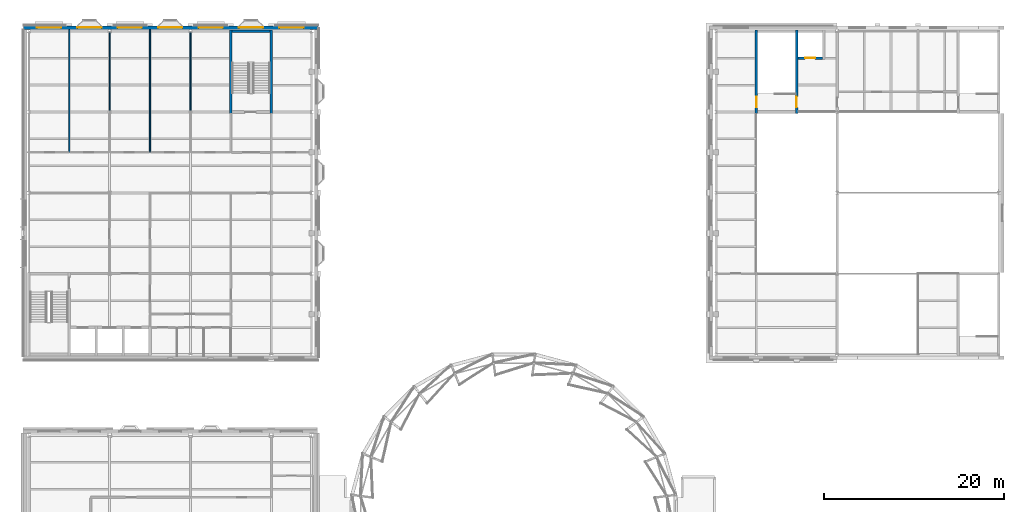
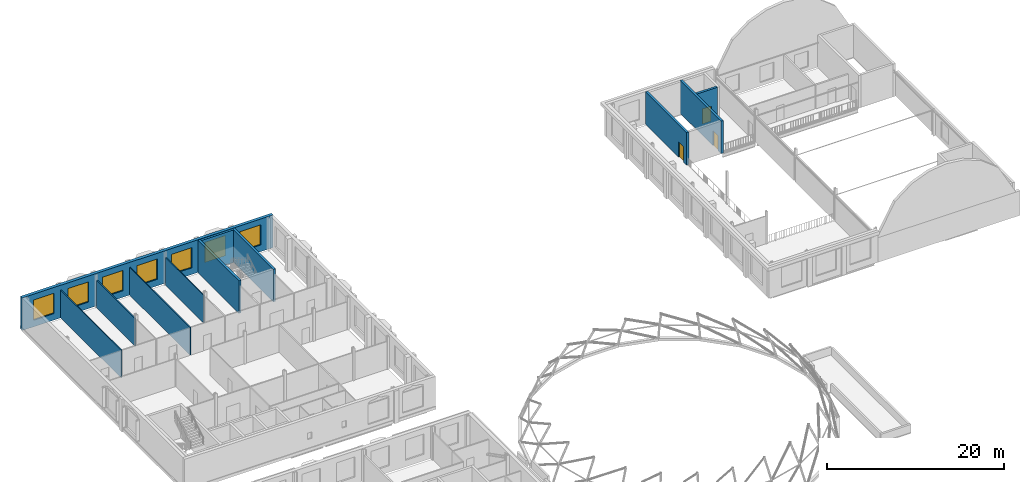
# One storey, part 28 of 59: 11 walls, 7 windows, 3 doors, 10 openings.
"""IFC4 building model written with IfcOpenShell, lengths in metres."""

from ifc_helpers import new_model, si_unit, direction, frame, frame_2d, origin, place, context, subcontext, project, spatial, rectangle, extrude, material, layer, layer_set, type_object, element, fill, save


model = new_model("IFC4")

# Units and contexts
model_context = context("Model", 3, precision=1e-05, world=origin(), true_north=direction((0.0, 1.0)))
body_context = subcontext(model_context, "Body", "Model", "MODEL_VIEW")
ifc_project = project(units=[si_unit("LENGTHUNIT", "METRE"), si_unit("AREAUNIT", "SQUARE_METRE"), si_unit("VOLUMEUNIT", "CUBIC_METRE"), si_unit("PLANEANGLEUNIT", "RADIAN"), si_unit("MASSUNIT", "GRAM", prefix="KILO")], contexts=[model_context])

# Site, building, storey
site_placement = place(None, origin())
site = spatial("IfcSite", under=ifc_project, at=site_placement, CompositionType="ELEMENT")
building_placement = place(site_placement, origin())
building = spatial("IfcBuilding", under=site, at=building_placement, Name="Hortulan Conservatory and Botanical Research Centre", CompositionType="ELEMENT")
storey_placement = place(building_placement, frame((0.0, 0.0, 10.5)))
storey = spatial("IfcBuildingStorey", under=building, at=storey_placement, Name="L02", CompositionType="ELEMENT", Elevation=10.5)

# Wall, opening, door
ifc_material_1 = material(Name="Concrete N40 (40 MPa, AS 3600)", Category="concrete")
ifc_layer_1 = layer(ifc_material_1, 0.300048828125)
ifc_layer_set_1 = layer_set([ifc_layer_1], Name="Core Wall 300 N40 FRL 120/120/120")
wall_type_1 = type_object("IfcWallType", Name="Core Wall 300 N40 FRL 120/120/120", PredefinedType="SHEAR", material=ifc_layer_set_1)
wall_1_placement = place(storey_placement, frame((81.0, 62.85009765625, 0.0), z_axis=(0.0, 0.0, 1.0), x_axis=(0.0, 1.0, 0.0)))
wall_1 = element("IfcWall", 1, at=wall_1_placement, inside=storey, type_object=wall_type_1, Name="Reinforced concrete shaft wall", PredefinedType="SHEAR", context=body_context, shape_type="SweptSolid", body=[
    extrude(rectangle(XDim=9.2998046875, YDim=0.300048828125, at=frame_2d((4.64990234375, 0.0))), origin(), (0.0, 0.0, 1.0), 4.5),
])
opening_1_placement = place(wall_1_placement, frame((0.64990234375, 0.0, 0.0)))
opening_1 = element("IfcOpeningElement", 2, at=opening_1_placement, cuts=wall_1, Name="Opening DT5", PredefinedType="OPENING", context=body_context, shape_type="SweptSolid", body=[
    extrude(rectangle(XDim=1.199951171875, YDim=2.10009765625, at=frame_2d((0.60009765625, 1.050048828125))), frame((0.0, 0.159912109375, 0.0), z_axis=(0.0, -1.0, 0.0), x_axis=(1.0, 0.0, 0.0)), (0.0, 0.0, 1.0), 0.320068359375),
])
ifc_material_2 = material(Name="Steel door leaf, insulated", Category="steel")
door_type_1 = type_object("IfcDoorType", Name="Stair Door 1200x2100 FRL -/120/30", OperationType="NOTDEFINED", PredefinedType="DOOR", material=ifc_material_2)
door_1_placement = place(opening_1_placement, frame((1.199951171875, 0.0, 0.0), z_axis=(0.0, 0.0, 1.0), x_axis=(-1.0, 0.0, 0.0)))
door_1 = element("IfcDoor", 3, at=door_1_placement, inside=storey, type_object=door_type_1, Name="Stair door A1 L02 W to Back-of-House Corridor", OperationType="SINGLE_SWING_RIGHT", OverallHeight=2.10009765625, OverallWidth=1.199951171875, PredefinedType="DOOR", context=body_context, shape_type="SweptSolid", body=[
    extrude(rectangle(XDim=1.199951171875, YDim=2.10009765625, at=frame_2d((0.60009765625, 1.050048828125))), frame((0.0, 0.02490234375, 0.0), z_axis=(0.0, -1.0, 0.0), x_axis=(1.0, 0.0, 0.0)), (0.0, 0.0, 1.0), 0.050048828125),
])
fill(opening_1, door_1)

wall_2_placement = place(storey_placement, frame((85.5, 62.85009765625, 0.0), z_axis=(0.0, 0.0, 1.0), x_axis=(0.0, 1.0, 0.0)))
wall_2 = element("IfcWall", 4, at=wall_2_placement, inside=storey, type_object=wall_type_1, Name="Reinforced concrete shaft wall", PredefinedType="SHEAR", context=body_context, shape_type="SweptSolid", body=[
    extrude(rectangle(XDim=9.2998046875, YDim=0.300048828125, at=frame_2d((4.64990234375, 0.0))), origin(), (0.0, 0.0, 1.0), 4.5),
])
opening_2_placement = place(wall_2_placement, frame((0.64990234375, 0.0, 0.0)))
opening_2 = element("IfcOpeningElement", 5, at=opening_2_placement, cuts=wall_2, Name="Opening DT5", PredefinedType="OPENING", context=body_context, shape_type="SweptSolid", body=[
    extrude(rectangle(XDim=1.199951171875, YDim=2.10009765625, at=frame_2d((0.60009765625, 1.050048828125))), frame((0.0, 0.159912109375, 0.0), z_axis=(0.0, -1.0, 0.0), x_axis=(1.0, 0.0, 0.0)), (0.0, 0.0, 1.0), 0.320068359375),
])
door_2_placement = place(opening_2_placement, origin())
door_2 = element("IfcDoor", 6, at=door_2_placement, inside=storey, type_object=door_type_1, Name="Stair door A1 L02 E to Control Gallery Lobby", OperationType="SINGLE_SWING_LEFT", OverallHeight=2.10009765625, OverallWidth=1.199951171875, PredefinedType="DOOR", context=body_context, shape_type="SweptSolid", body=[
    extrude(rectangle(XDim=1.199951171875, YDim=2.10009765625, at=frame_2d((0.60009765625, 1.050048828125))), frame((0.0, 0.02490234375, 0.0), z_axis=(0.0, -1.0, 0.0), x_axis=(1.0, 0.0, 0.0)), (0.0, 0.0, 1.0), 0.050048828125),
])
fill(opening_2, door_2)

wall_3_placement = place(storey_placement, frame((85.64990234375, 69.0, 0.0), z_axis=(0.0, 0.0, 1.0), x_axis=(1.0, 0.0, 0.0)))
wall_3 = element("IfcWall", 7, at=wall_3_placement, inside=storey, type_object=wall_type_1, Name="Reinforced concrete shaft wall", PredefinedType="SHEAR", context=body_context, shape_type="SweptSolid", body=[
    extrude(rectangle(XDim=2.7001953125, YDim=0.300048828125, at=frame_2d((1.35009765625, 0.0))), origin(), (0.0, 0.0, 1.0), 4.5),
])
opening_3_placement = place(wall_3_placement, frame((0.800048828125, 0.0, 0.0)))
opening_3 = element("IfcOpeningElement", 8, at=opening_3_placement, cuts=wall_3, Name="Opening LD1", PredefinedType="OPENING", context=body_context, shape_type="SweptSolid", body=[
    extrude(rectangle(XDim=1.10009765625, YDim=2.10009765625, at=frame_2d((0.550048828125, 1.050048828125))), frame((0.0, 0.159912109375, 0.0), z_axis=(0.0, -1.0, 0.0), x_axis=(1.0, 0.0, 0.0)), (0.0, 0.0, 1.0), 0.320068359375),
])
ifc_material_3 = material(Name="Stainless steel door leaves in steel frame", Category="steel")
door_type_2 = type_object("IfcDoorType", Name="Lift Landing Door 1100x2100", OperationType="DOUBLE_DOOR_SLIDING", PredefinedType="DOOR", material=ifc_material_3)
door_3_placement = place(opening_3_placement, origin())
door_3 = element("IfcDoor", 9, at=door_3_placement, inside=storey, type_object=door_type_2, Name="Lift LA1 landing door L02", OperationType="DOUBLE_DOOR_SLIDING", OverallHeight=2.10009765625, OverallWidth=1.10009765625, PredefinedType="DOOR", context=body_context, shape_type="SweptSolid", body=[
    extrude(rectangle(XDim=1.10009765625, YDim=2.10009765625, at=frame_2d((0.550048828125, 1.050048828125))), frame((0.0, 0.02490234375, 0.0), z_axis=(0.0, -1.0, 0.0), x_axis=(1.0, 0.0, 0.0)), (0.0, 0.0, 1.0), 0.050048828125),
])
fill(opening_3, door_3)

# Walls
ifc_layer_2 = layer(ifc_material_1, 0.300048828125)
ifc_layer_set_2 = layer_set([ifc_layer_2], Name="Core Wall 300 N40 FRL 180/120/120")
wall_type_2 = type_object("IfcWallType", Name="Core Wall 300 N40 FRL 180/120/120", PredefinedType="SHEAR", material=ifc_layer_set_2)
for number, where, z_axis, x_axis, name in (
    (10, (22.5, 62.85009765625, 0.0), (0.0, 0.0, 1.0), (0.0, 1.0, 0.0), "Reinforced concrete shaft wall"),
    (11, (27.0, 62.85009765625, 0.0), (0.0, 0.0, 1.0), (0.0, 1.0, 0.0), "Reinforced concrete shaft wall"),
):
    element("IfcWall", number, at=place(storey_placement, frame(where, z_axis=z_axis, x_axis=x_axis)), inside=storey, type_object=wall_type_2, Name=name, PredefinedType="SHEAR", context=body_context, shape_type="SweptSolid", body=[
        extrude(rectangle(XDim=9.2998046875, YDim=0.300048828125, at=frame_2d((4.64990234375, 0.0))), origin(), (0.0, 0.0, 1.0), 4.5),
    ])
wall_4_placement = place(storey_placement, frame((22.64990234375, 72.0, 0.0), z_axis=(0.0, 0.0, 1.0), x_axis=(1.0, 0.0, 0.0)))
element("IfcWall", 12, at=wall_4_placement, inside=storey, type_object=wall_type_2, Name="Reinforced concrete shaft wall", PredefinedType="SHEAR", context=body_context, shape_type="SweptSolid", body=[
    extrude(rectangle(XDim=4.2001953125, YDim=0.300048828125, at=frame_2d((2.10009765625, 0.0))), origin(), (0.0, 0.0, 1.0), 4.5),
])

# Wall, openings, windows
ifc_material_4 = material(Name="Faience-faced brickwork masonry", Category="masonry")
ifc_layer_3 = layer(ifc_material_4, 0.39990234375)
ifc_layer_set_3 = layer_set([ifc_layer_3], Name="Faience-faced Masonry Cavity Wall 400")
wall_type_3 = type_object("IfcWallType", Name="Faience-faced Masonry Cavity Wall 400", PredefinedType="STANDARD", material=ifc_layer_set_3)
wall_5_placement = place(storey_placement, frame((-0.57958984375, 72.385498046875, 0.0), z_axis=(0.0, 0.0, 1.0), x_axis=(1.0, 0.0, 0.0)))
wall_5 = element("IfcWall", 13, at=wall_5_placement, inside=storey, type_object=wall_type_3, Name="E-EW-VC-L02-N3", PredefinedType="STANDARD", context=body_context, shape_type="SweptSolid", body=[
    extrude(rectangle(XDim=32.8046875, YDim=0.39990234375, at=frame_2d((16.40234375, 0.0))), origin(), (0.0, 0.0, 1.0), 4.5),
])
opening_4_placement = place(wall_5_placement, frame((1.4794921875, 0.0, 0.89990234375)))
opening_4 = element("IfcOpeningElement", 14, at=opening_4_placement, cuts=wall_5, Name="Opening W9", PredefinedType="OPENING", context=body_context, shape_type="SweptSolid", body=[
    extrude(rectangle(XDim=2.699951171875, YDim=2.800048828125, at=frame_2d((1.35009765625, 1.39990234375))), frame((0.0, 0.2099609375, 0.0), z_axis=(0.0, -1.0, 0.0), x_axis=(1.0, 0.0, 0.0)), (0.0, 0.0, 1.0), 0.419921875),
])
opening_5_placement = place(wall_5_placement, frame((5.9794921875, 0.0, 0.89990234375)))
opening_5 = element("IfcOpeningElement", 15, at=opening_5_placement, cuts=wall_5, Name="Opening W9", PredefinedType="OPENING", context=body_context, shape_type="SweptSolid", body=[
    extrude(rectangle(XDim=2.699951171875, YDim=2.800048828125, at=frame_2d((1.35009765625, 1.39990234375))), frame((0.0, 0.2099609375, 0.0), z_axis=(0.0, -1.0, 0.0), x_axis=(1.0, 0.0, 0.0)), (0.0, 0.0, 1.0), 0.419921875),
])
opening_6_placement = place(wall_5_placement, frame((10.4794921875, 0.0, 0.89990234375)))
opening_6 = element("IfcOpeningElement", 16, at=opening_6_placement, cuts=wall_5, Name="Opening W9", PredefinedType="OPENING", context=body_context, shape_type="SweptSolid", body=[
    extrude(rectangle(XDim=2.699951171875, YDim=2.800048828125, at=frame_2d((1.35009765625, 1.39990234375))), frame((0.0, 0.2099609375, 0.0), z_axis=(0.0, -1.0, 0.0), x_axis=(1.0, 0.0, 0.0)), (0.0, 0.0, 1.0), 0.419921875),
])
opening_7_placement = place(wall_5_placement, frame((14.9794921875, 0.0, 0.89990234375)))
opening_7 = element("IfcOpeningElement", 17, at=opening_7_placement, cuts=wall_5, Name="Opening W9", PredefinedType="OPENING", context=body_context, shape_type="SweptSolid", body=[
    extrude(rectangle(XDim=2.699951171875, YDim=2.800048828125, at=frame_2d((1.35009765625, 1.39990234375))), frame((0.0, 0.2099609375, 0.0), z_axis=(0.0, -1.0, 0.0), x_axis=(1.0, 0.0, 0.0)), (0.0, 0.0, 1.0), 0.419921875),
])
opening_8_placement = place(wall_5_placement, frame((19.4794921875, 0.0, 0.89990234375)))
opening_8 = element("IfcOpeningElement", 18, at=opening_8_placement, cuts=wall_5, Name="Opening W9", PredefinedType="OPENING", context=body_context, shape_type="SweptSolid", body=[
    extrude(rectangle(XDim=2.699951171875, YDim=2.800048828125, at=frame_2d((1.35009765625, 1.39990234375))), frame((0.0, 0.2099609375, 0.0), z_axis=(0.0, -1.0, 0.0), x_axis=(1.0, 0.0, 0.0)), (0.0, 0.0, 1.0), 0.419921875),
])
opening_9_placement = place(wall_5_placement, frame((23.9794921875, 0.0, 0.89990234375)))
opening_9 = element("IfcOpeningElement", 19, at=opening_9_placement, cuts=wall_5, Name="Opening W9", PredefinedType="OPENING", context=body_context, shape_type="SweptSolid", body=[
    extrude(rectangle(XDim=2.699951171875, YDim=2.800048828125, at=frame_2d((1.35009765625, 1.39990234375))), frame((0.0, 0.2099609375, 0.0), z_axis=(0.0, -1.0, 0.0), x_axis=(1.0, 0.0, 0.0)), (0.0, 0.0, 1.0), 0.419921875),
])
opening_10_placement = place(wall_5_placement, frame((28.4794921875, 0.0, 0.89990234375)))
opening_10 = element("IfcOpeningElement", 20, at=opening_10_placement, cuts=wall_5, Name="Opening W9", PredefinedType="OPENING", context=body_context, shape_type="SweptSolid", body=[
    extrude(rectangle(XDim=2.699951171875, YDim=2.800048828125, at=frame_2d((1.35009765625, 1.39990234375))), frame((0.0, 0.2099609375, 0.0), z_axis=(0.0, -1.0, 0.0), x_axis=(1.0, 0.0, 0.0)), (0.0, 0.0, 1.0), 0.419921875),
])
ifc_material_5 = material(Name="Bronze-finished aluminium frame with low-e laminated double glazing", Category="aluminium")
window_type = type_object("IfcWindowType", Name="Faience Window 2700x2800", PartitioningType="SINGLE_PANEL", PredefinedType="WINDOW", material=ifc_material_5)
window_1_placement = place(opening_4_placement, origin())
window_1 = element("IfcWindow", 21, at=window_1_placement, inside=storey, type_object=window_type, Name="Faience window", OverallHeight=2.800048828125, OverallWidth=2.699951171875, PartitioningType="SINGLE_PANEL", PredefinedType="WINDOW", context=body_context, shape_type="SweptSolid", body=[
    extrude(rectangle(XDim=2.699951171875, YDim=2.800048828125, at=frame_2d((1.35009765625, 1.39990234375))), frame((0.0, 0.030029296875, 0.0), z_axis=(0.0, -1.0, 0.0), x_axis=(1.0, 0.0, 0.0)), (0.0, 0.0, 1.0), 0.06005859375),
])
fill(opening_4, window_1)
window_2_placement = place(opening_5_placement, origin())
window_2 = element("IfcWindow", 22, at=window_2_placement, inside=storey, type_object=window_type, Name="Faience window", OverallHeight=2.800048828125, OverallWidth=2.699951171875, PartitioningType="SINGLE_PANEL", PredefinedType="WINDOW", context=body_context, shape_type="SweptSolid", body=[
    extrude(rectangle(XDim=2.699951171875, YDim=2.800048828125, at=frame_2d((1.35009765625, 1.39990234375))), frame((0.0, 0.030029296875, 0.0), z_axis=(0.0, -1.0, 0.0), x_axis=(1.0, 0.0, 0.0)), (0.0, 0.0, 1.0), 0.06005859375),
])
fill(opening_5, window_2)
window_3_placement = place(opening_6_placement, origin())
window_3 = element("IfcWindow", 23, at=window_3_placement, inside=storey, type_object=window_type, Name="Faience window", OverallHeight=2.800048828125, OverallWidth=2.699951171875, PartitioningType="SINGLE_PANEL", PredefinedType="WINDOW", context=body_context, shape_type="SweptSolid", body=[
    extrude(rectangle(XDim=2.699951171875, YDim=2.800048828125, at=frame_2d((1.35009765625, 1.39990234375))), frame((0.0, 0.030029296875, 0.0), z_axis=(0.0, -1.0, 0.0), x_axis=(1.0, 0.0, 0.0)), (0.0, 0.0, 1.0), 0.06005859375),
])
fill(opening_6, window_3)
window_4_placement = place(opening_7_placement, origin())
window_4 = element("IfcWindow", 24, at=window_4_placement, inside=storey, type_object=window_type, Name="Faience window", OverallHeight=2.800048828125, OverallWidth=2.699951171875, PartitioningType="SINGLE_PANEL", PredefinedType="WINDOW", context=body_context, shape_type="SweptSolid", body=[
    extrude(rectangle(XDim=2.699951171875, YDim=2.800048828125, at=frame_2d((1.35009765625, 1.39990234375))), frame((0.0, 0.030029296875, 0.0), z_axis=(0.0, -1.0, 0.0), x_axis=(1.0, 0.0, 0.0)), (0.0, 0.0, 1.0), 0.06005859375),
])
fill(opening_7, window_4)
window_5_placement = place(opening_8_placement, origin())
window_5 = element("IfcWindow", 25, at=window_5_placement, inside=storey, type_object=window_type, Name="Faience window", OverallHeight=2.800048828125, OverallWidth=2.699951171875, PartitioningType="SINGLE_PANEL", PredefinedType="WINDOW", context=body_context, shape_type="SweptSolid", body=[
    extrude(rectangle(XDim=2.699951171875, YDim=2.800048828125, at=frame_2d((1.35009765625, 1.39990234375))), frame((0.0, 0.030029296875, 0.0), z_axis=(0.0, -1.0, 0.0), x_axis=(1.0, 0.0, 0.0)), (0.0, 0.0, 1.0), 0.06005859375),
])
fill(opening_8, window_5)
window_6_placement = place(opening_9_placement, origin())
window_6 = element("IfcWindow", 26, at=window_6_placement, inside=storey, type_object=window_type, Name="Faience window", OverallHeight=2.800048828125, OverallWidth=2.699951171875, PartitioningType="SINGLE_PANEL", PredefinedType="WINDOW", context=body_context, shape_type="SweptSolid", body=[
    extrude(rectangle(XDim=2.699951171875, YDim=2.800048828125, at=frame_2d((1.35009765625, 1.39990234375))), frame((0.0, 0.030029296875, 0.0), z_axis=(0.0, -1.0, 0.0), x_axis=(1.0, 0.0, 0.0)), (0.0, 0.0, 1.0), 0.06005859375),
])
fill(opening_9, window_6)
window_7_placement = place(opening_10_placement, origin())
window_7 = element("IfcWindow", 27, at=window_7_placement, inside=storey, type_object=window_type, Name="Faience window", OverallHeight=2.800048828125, OverallWidth=2.699951171875, PartitioningType="SINGLE_PANEL", PredefinedType="WINDOW", context=body_context, shape_type="SweptSolid", body=[
    extrude(rectangle(XDim=2.699951171875, YDim=2.800048828125, at=frame_2d((1.35009765625, 1.39990234375))), frame((0.0, 0.030029296875, 0.0), z_axis=(0.0, -1.0, 0.0), x_axis=(1.0, 0.0, 0.0)), (0.0, 0.0, 1.0), 0.06005859375),
])
fill(opening_10, window_7)

# Walls
ifc_material_6 = material(Name="Plasterboard on steel studs", Category="steel")
ifc_layer_4 = layer(ifc_material_6, 0.125)
ifc_layer_set_4 = layer_set([ifc_layer_4], Name="Partition 125")
wall_type_4 = type_object("IfcWallType", Name="Partition 125", PredefinedType="PARTITIONING", material=ifc_layer_set_4)
wall_6_placement = place(storey_placement, frame((4.5, 58.5, 0.0), z_axis=(0.0, 0.0, 1.0), x_axis=(0.0, 1.0, 0.0)))
element("IfcWall", 28, at=wall_6_placement, inside=storey, type_object=wall_type_4, Name="Partition Education Classroom 1 and Education Classroom 2 L02", PredefinedType="PARTITIONING", context=body_context, shape_type="SweptSolid", body=[
    extrude(rectangle(XDim=13.675537109375, YDim=0.125, at=frame_2d((6.837890625, 0.0))), origin(), (0.0, 0.0, 1.0), 3.822021484375),
])
wall_7_placement = place(storey_placement, frame((9.0, 63.16748046875, 0.0), z_axis=(0.0, 0.0, 1.0), x_axis=(0.0, 1.0, 0.0)))
element("IfcWall", 29, at=wall_7_placement, inside=storey, type_object=wall_type_4, Name="Partition Education Classroom 2 and Education Classroom 3 L02", PredefinedType="PARTITIONING", context=body_context, shape_type="SweptSolid", body=[
    extrude(rectangle(XDim=8.6650390625, YDim=0.125, at=frame_2d((4.33251953125, 0.0))), origin(), (0.0, 0.0, 1.0), 3.822021484375),
])
wall_8_placement = place(storey_placement, frame((13.5, 58.5, 0.0), z_axis=(0.0, 0.0, 1.0), x_axis=(0.0, 1.0, 0.0)))
element("IfcWall", 30, at=wall_8_placement, inside=storey, type_object=wall_type_4, Name="Partition Education Classroom 3 and Seed Laboratory L02", PredefinedType="PARTITIONING", context=body_context, shape_type="SweptSolid", body=[
    extrude(rectangle(XDim=13.675537109375, YDim=0.125, at=frame_2d((6.837890625, 0.0))), origin(), (0.0, 0.0, 1.0), 3.822021484375),
])
wall_9_placement = place(storey_placement, frame((18.0, 63.16748046875, 0.0), z_axis=(0.0, 0.0, 1.0), x_axis=(0.0, 1.0, 0.0)))
element("IfcWall", 31, at=wall_9_placement, inside=storey, type_object=wall_type_4, Name="Partition Seed Laboratory and Teaching Laboratory L02", PredefinedType="PARTITIONING", context=body_context, shape_type="SweptSolid", body=[
    extrude(rectangle(XDim=8.6650390625, YDim=0.125, at=frame_2d((4.33251953125, 0.0))), origin(), (0.0, 0.0, 1.0), 3.822021484375),
])

save(model, "model.ifc")
